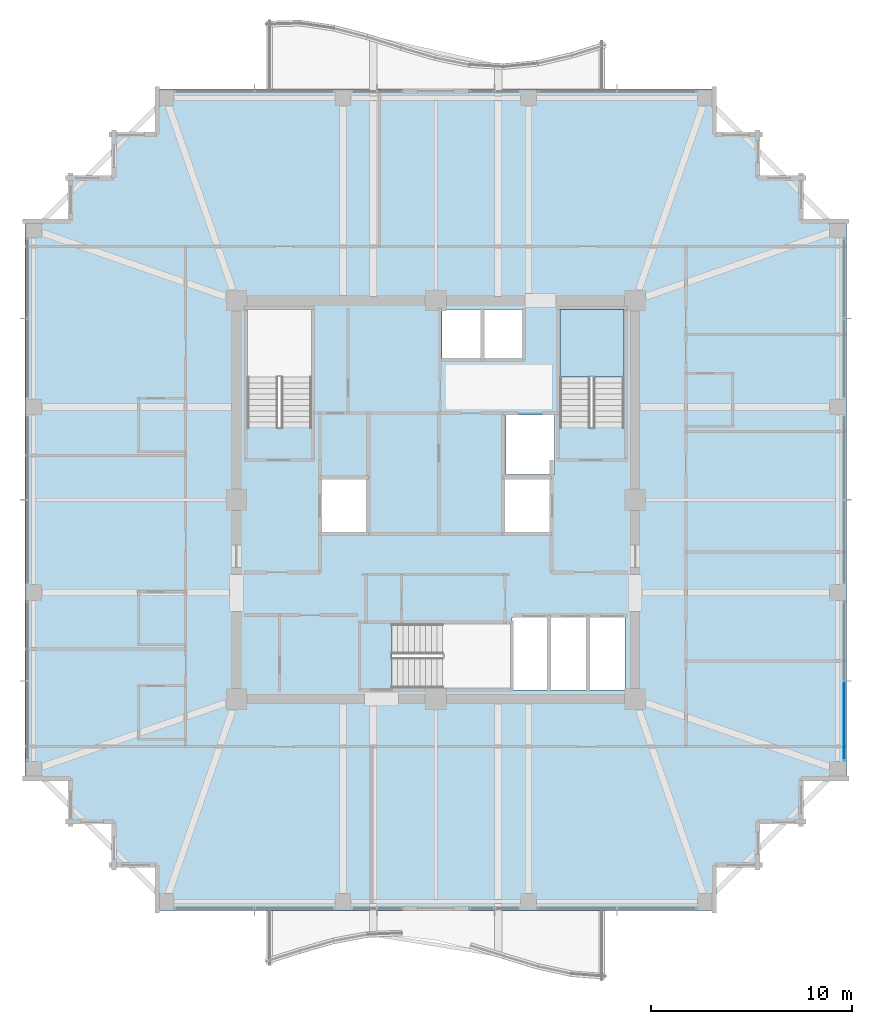
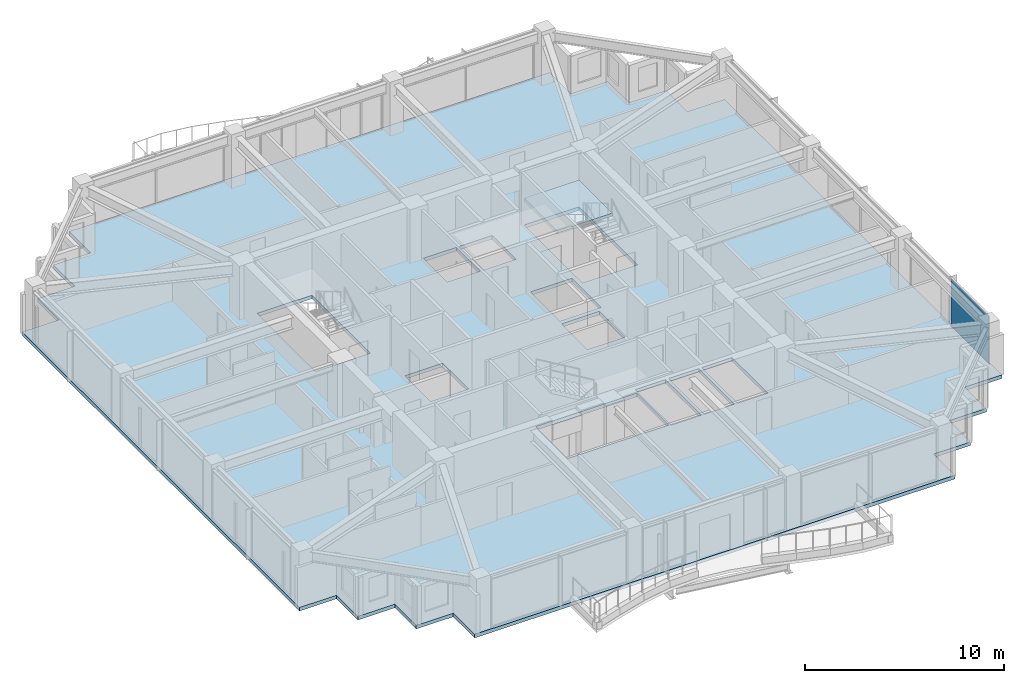
# One storey, part 26 of 36: 2 slabs, 1 plate, 2 elements without a shape of their own.
"""IFC4 building model written with IfcOpenShell, lengths in metres."""

from ifc_helpers import new_model, si_unit, direction, frame, origin, origin_2d, place, context, subcontext, project, spatial, polyline, rectangle, outline, extrude, material, layer, layer_set, type_object, element, aggregate, save


model = new_model("IFC4")

# Units and contexts
model_context = context("Model", 3, precision=1e-05, world=origin(), true_north=direction((0.0, 1.0)))
body_context = subcontext(model_context, "Body", "Model", "MODEL_VIEW")
ifc_project = project(units=[si_unit("LENGTHUNIT", "METRE"), si_unit("AREAUNIT", "SQUARE_METRE"), si_unit("VOLUMEUNIT", "CUBIC_METRE"), si_unit("PLANEANGLEUNIT", "RADIAN"), si_unit("MASSUNIT", "GRAM", prefix="KILO")], contexts=[model_context])

# Site, building, storey
site_placement = place(None, origin())
site = spatial("IfcSite", under=ifc_project, at=site_placement, CompositionType="ELEMENT")
building_placement = place(site_placement, origin())
building = spatial("IfcBuilding", under=site, at=building_placement, Name="Kolvaren Belvedere", CompositionType="ELEMENT")
storey_placement = place(building_placement, frame((0.0, 0.0, 196.5)))
storey = spatial("IfcBuildingStorey", under=building, at=storey_placement, Name="L57", CompositionType="ELEMENT", Elevation=196.5)

# Curtain wall, plate
ifc_material_1 = material(Name="Anodised pale-metal aluminium AA 6063-T6", Category="aluminium")
curtain_wall_type = type_object("IfcCurtainWallType", Name="CW-Z5-HIGH", PredefinedType="NOTDEFINED", material=ifc_material_1)
curtain_wall_placement = place(storey_placement, origin())
curtain_wall = element("IfcCurtainWall", 1, at=curtain_wall_placement, inside=storey, type_object=curtain_wall_type, Name="L57 Unitised Curtain Wall FCW-L57-E-B3", PredefinedType="NOTDEFINED")
ifc_material_2 = material(Name="Low-iron triple insulated glass", Category="glass")
ifc_layer_1 = layer(ifc_material_2, 0.028076171875)
ifc_layer_set_1 = layer_set([ifc_layer_1], Name="Low-iron triple insulated glass")
plate_type = type_object("IfcPlateType", Name="CW-PNL-VIS28", PredefinedType="CURTAIN_PANEL", material=ifc_layer_set_1)
plate_placement = place(storey_placement, frame((20.280029296875, -10.972412109375, 0.080078125), z_axis=(0.0, 0.0, 1.0), x_axis=(0.0, -1.0, 0.0)))
plate = element("IfcPlate", 2, at=plate_placement, type_object=plate_type, Name="FCW-L57-E-B3 Vision Glazing Panel 2", PredefinedType="CURTAIN_PANEL", context=body_context, shape_type="SweptSolid", body=[
    extrude(rectangle(XDim=3.864990234375, YDim=0.028076171875, at=origin_2d()), origin(), (0.0, 0.0, 1.0), 2.919921875),
])
aggregate(curtain_wall, [plate])

# Slab
ifc_material_3 = material(Name="Concrete C50/60", Category="concrete")
ifc_layer_2 = layer(ifc_material_3, 0.219970703125)
ifc_layer_set_2 = layer_set([ifc_layer_2], Name="Concrete C50/60")
slab_type_1 = type_object("IfcSlabType", Name="SL-FLR-220", PredefinedType="FLOOR", material=ifc_layer_set_2)
slab_1_placement = place(storey_placement, frame((0.0, 0.0, -0.219970703125)))
element("IfcSlab", 3, at=slab_1_placement, inside=storey, type_object=slab_type_1, Name="L57 Primary Structural Slab", PredefinedType="FLOOR", context=body_context, shape_type="SweptSolid", body=[
    extrude(outline(polyline([(-13.949951171875, -20.39990234375), (13.949951171875, -20.39990234375), (13.949951171875, -18.25), (16.10009765625, -18.25), (16.10009765625, -16.10009765625), (18.25, -16.10009765625), (18.25, -13.949951171875), (20.39990234375, -13.949951171875), (20.39990234375, 13.949951171875), (18.25, 13.949951171875), (18.25, 16.10009765625), (16.10009765625, 16.10009765625), (16.10009765625, 18.25), (13.949951171875, 18.25), (13.949951171875, 20.39990234375), (-13.949951171875, 20.39990234375), (-13.949951171875, 18.25), (-16.10009765625, 18.25), (-16.10009765625, 16.10009765625), (-18.25, 16.10009765625), (-18.25, 13.949951171875), (-20.39990234375, 13.949951171875), (-20.39990234375, -13.949951171875), (-18.25, -13.949951171875), (-18.25, -16.10009765625), (-16.10009765625, -16.10009765625), (-16.10009765625, -18.25), (-13.949951171875, -18.25), (-13.949951171875, -20.39990234375)]), holes=[polyline([(-9.35009765625, 3.580078125), (-6.159912109375, 3.580078125), (-6.159912109375, 9.449951171875), (-9.35009765625, 9.449951171875), (-9.35009765625, 3.580078125)]), polyline([(6.159912109375, 3.580078125), (9.35009765625, 3.580078125), (9.35009765625, 9.449951171875), (6.159912109375, 9.449951171875), (6.159912109375, 3.580078125)]), polyline([(-2.169921875, -9.35009765625), (3.699951171875, -9.35009765625), (3.699951171875, -6.159912109375), (-2.169921875, -6.159912109375), (-2.169921875, -9.35009765625)]), polyline([(-5.64990234375, -1.60009765625), (-3.449951171875, -1.60009765625), (-3.449951171875, 1.0), (-5.64990234375, 1.0), (-5.64990234375, -1.60009765625)]), polyline([(3.5, 1.25), (5.89990234375, 1.25), (5.89990234375, 4.199951171875), (3.5, 4.199951171875), (3.5, 1.25)]), polyline([(3.449951171875, -1.60009765625), (5.64990234375, -1.60009765625), (5.64990234375, 1.0), (3.449951171875, 1.0), (3.449951171875, -1.60009765625)]), polyline([(3.7900390625, -9.449951171875), (5.5400390625, -9.449951171875), (5.5400390625, -5.85009765625), (3.7900390625, -5.85009765625), (3.7900390625, -9.449951171875)]), polyline([(5.719970703125, -9.449951171875), (7.469970703125, -9.449951171875), (7.469970703125, -5.85009765625), (5.719970703125, -5.85009765625), (5.719970703125, -9.449951171875)]), polyline([(7.64990234375, -9.449951171875), (9.39990234375, -9.449951171875), (9.39990234375, -5.85009765625), (7.64990234375, -5.85009765625), (7.64990234375, -9.449951171875)]), polyline([(0.320068359375, 7.050048828125), (2.219970703125, 7.050048828125), (2.219970703125, 9.449951171875), (0.320068359375, 9.449951171875), (0.320068359375, 7.050048828125)]), polyline([(2.39990234375, 7.050048828125), (4.300048828125, 7.050048828125), (4.300048828125, 9.449951171875), (2.39990234375, 9.449951171875), (2.39990234375, 7.050048828125)])]), origin(), (0.0, 0.0, 1.0), 0.219970703125),
])

# Stair, slab
ifc_material_4 = material(Name="Concrete C50/60", Category="concrete")
stair_type = type_object("IfcStairType", Name="ST-CORE-1520", PredefinedType="HALF_TURN_STAIR", material=ifc_material_4)
stair_placement = place(storey_placement, origin())
stair = element("IfcStair", 4, at=stair_placement, inside=storey, type_object=stair_type, Name="L57 Protected Exit Stair ST-2", PredefinedType="HALF_TURN_STAIR")
ifc_material_5 = material(Name="Concrete C50/60", Category="concrete")
ifc_layer_3 = layer(ifc_material_5, 0.260009765625)
ifc_layer_set_3 = layer_set([ifc_layer_3], Name="Concrete C50/60")
slab_type_2 = type_object("IfcSlabType", Name="SL-LAND-260", PredefinedType="LANDING", material=ifc_layer_set_3)
slab_2_placement = place(storey_placement, frame((0.0, 0.0, 1.449951171875)))
slab_2 = element("IfcSlab", 5, at=slab_2_placement, type_object=slab_type_2, Name="ST-2 landing 1", PredefinedType="LANDING", context=body_context, shape_type="SweptSolid", body=[
    extrude(outline(polyline([(9.35009765625, 6.090087890625), (9.35009765625, 9.449951171875), (6.159912109375, 9.449951171875), (6.159912109375, 6.090087890625), (9.35009765625, 6.090087890625)])), origin(), (0.0, 0.0, 1.0), 0.199951171875),
])
aggregate(stair, [slab_2])

save(model, "model.ifc")
